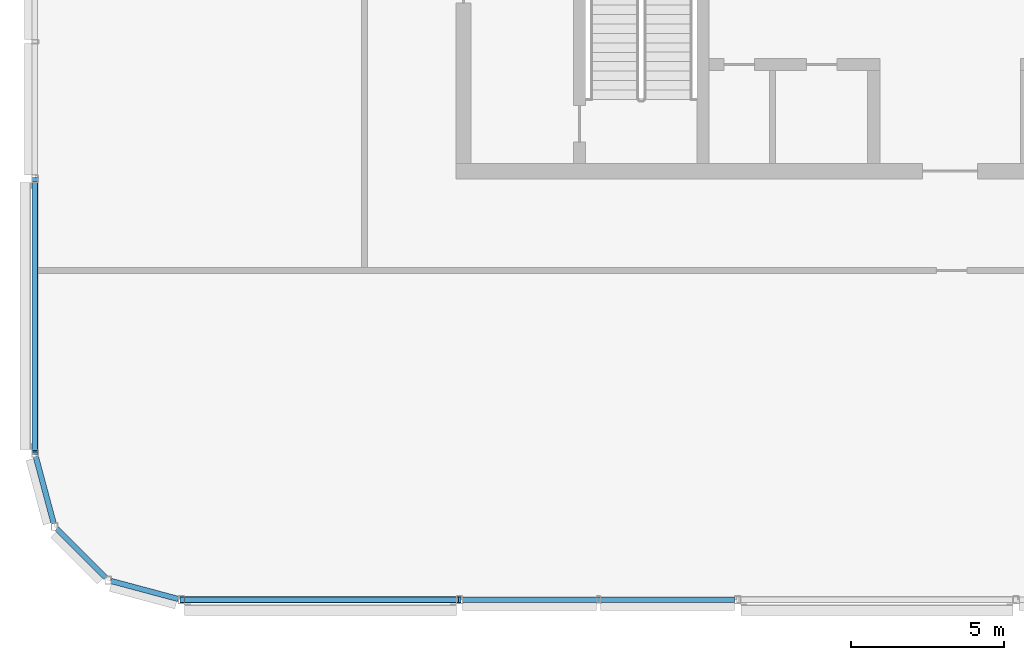
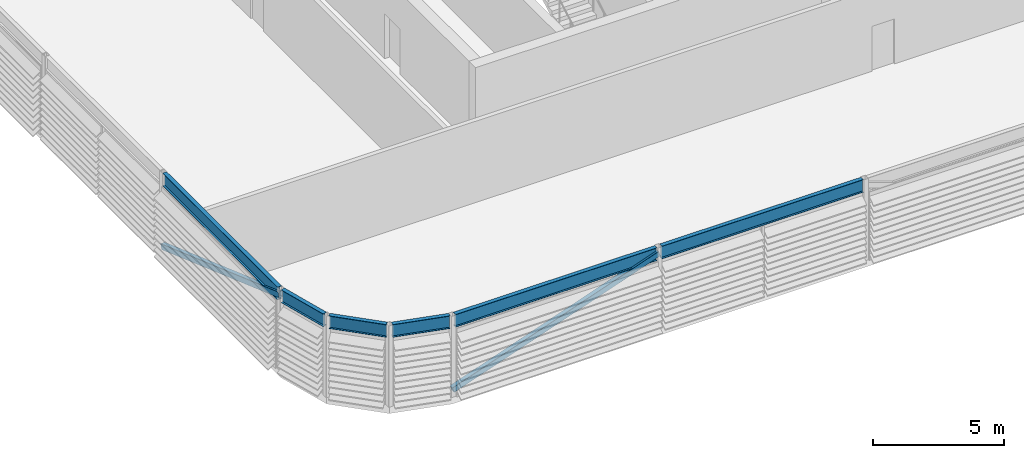
# One storey, part 5 of 28: 6 beams, 2 members.
"""IFC4 building model written with IfcOpenShell, lengths in metres."""

from ifc_helpers import new_model, si_unit, direction, frame, origin, origin_2d, place, context, subcontext, project, spatial, hollow_rectangle, i_section, extrude, material, material_profile, profile_set, type_object, element, save


model = new_model("IFC4")

# Units and contexts
model_context = context("Model", 3, precision=1e-05, world=origin(), true_north=direction((0.0, 1.0)))
body_context = subcontext(model_context, "Body", "Model", "MODEL_VIEW")
ifc_project = project(units=[si_unit("LENGTHUNIT", "METRE"), si_unit("AREAUNIT", "SQUARE_METRE"), si_unit("VOLUMEUNIT", "CUBIC_METRE"), si_unit("PLANEANGLEUNIT", "RADIAN"), si_unit("MASSUNIT", "GRAM", prefix="KILO")], contexts=[model_context])

# Site, building, storey
site_placement = place(None, origin())
site = spatial("IfcSite", under=ifc_project, at=site_placement, CompositionType="ELEMENT")
building_placement = place(site_placement, origin())
building = spatial("IfcBuilding", under=site, at=building_placement, Name="Madar Terraces", CompositionType="ELEMENT")
storey_placement = place(building_placement, frame((0.0, 0.0, 305.89990234375)))
storey = spatial("IfcBuildingStorey", under=building, at=storey_placement, Name="L79", CompositionType="ELEMENT", Elevation=305.89990234375)

# Beams
ifc_material_1 = material(Name="Steel ASTM A992 Grade 50", Category="steel")
ifc_material_profile_1 = material_profile(ifc_material_1, i_section(OverallWidth=0.1787109375, OverallDepth=0.60205078125, WebThickness=0.010986328125, FlangeThickness=0.014892578125, at=origin_2d()), Name="W24x62")
ifc_profile_set_1 = profile_set([ifc_material_profile_1], Name="Steel ASTM A992 Grade 50")
beam_type = type_object("IfcBeamType", Name="CF2 W24x62", PredefinedType="BEAM", material=ifc_profile_set_1)
for number, where, z_axis, x_axis, name in (
    (1, (6.1015625, 1.199951171875, 3.4990234375), (1.0, 0.0, 0.0), (0.0, 1.0, 0.0), "Crown frame ring beam CF2"),
    (2, (15.2216796875, 1.199951171875, 3.4990234375), (1.0, 0.0, 0.0), (0.0, 1.0, 0.0), "Crown frame ring beam CF2"),
):
    element("IfcBeam", number, at=place(storey_placement, frame(where, z_axis=z_axis, x_axis=x_axis)), inside=storey, type_object=beam_type, Name=name, PredefinedType="BEAM", context=body_context, shape_type="SweptSolid", body=[
        extrude(i_section(OverallWidth=0.1787109375, OverallDepth=0.60205078125, WebThickness=0.010986328125, FlangeThickness=0.014892578125, at=origin_2d()), origin(), (0.0, 0.0, 1.0), 8.916748046875),
    ])
beam_1_placement = place(storey_placement, frame((1.199951171875, 14.8984375, 3.4990234375), z_axis=(0.0, -1.0, 0.0), x_axis=(1.0, 0.0, 0.0)))
element("IfcBeam", 3, at=beam_1_placement, inside=storey, type_object=beam_type, Name="Crown frame ring beam CF2", PredefinedType="BEAM", context=body_context, shape_type="SweptSolid", body=[
    extrude(i_section(OverallWidth=0.1787109375, OverallDepth=0.60205078125, WebThickness=0.010986328125, FlangeThickness=0.014892578125, at=origin_2d()), origin(), (0.0, 0.0, 1.0), 8.796875),
])
beam_2_placement = place(storey_placement, frame((1.226318359375, 5.90185546875, 3.4990234375), z_axis=(0.258868028067, -0.965912700012, 0.0), x_axis=(0.965912700012, 0.258868028067, 0.0)))
element("IfcBeam", 4, at=beam_2_placement, inside=storey, type_object=beam_type, Name="Crown frame ring beam CF2", PredefinedType="BEAM", context=body_context, shape_type="SweptSolid", body=[
    extrude(i_section(OverallWidth=0.1787109375, OverallDepth=0.60205078125, WebThickness=0.010986328125, FlangeThickness=0.014892578125, at=origin_2d()), origin(), (0.0, 0.0, 1.0), 2.281494140625),
])
beam_3_placement = place(storey_placement, frame((1.9150390625, 3.528076171875, 3.4990234375), z_axis=(0.707106781187, -0.707106781187, 0.0), x_axis=(0.707106781187, 0.707106781187, 0.0)))
element("IfcBeam", 5, at=beam_3_placement, inside=storey, type_object=beam_type, Name="Crown frame ring beam CF2", PredefinedType="BEAM", context=body_context, shape_type="SweptSolid", body=[
    extrude(i_section(OverallWidth=0.1787109375, OverallDepth=0.60205078125, WebThickness=0.010986328125, FlangeThickness=0.014892578125, at=origin_2d()), origin(), (0.0, 0.0, 1.0), 2.28125),
])
beam_4_placement = place(storey_placement, frame((3.6982421875, 1.81689453125, 3.4990234375), z_axis=(0.965912700012, -0.258868028067, 0.0), x_axis=(0.258868028067, 0.965912700012, 0.0)))
element("IfcBeam", 6, at=beam_4_placement, inside=storey, type_object=beam_type, Name="Crown frame ring beam CF2", PredefinedType="BEAM", context=body_context, shape_type="SweptSolid", body=[
    extrude(i_section(OverallWidth=0.1787109375, OverallDepth=0.60205078125, WebThickness=0.010986328125, FlangeThickness=0.014892578125, at=origin_2d()), origin(), (0.0, 0.0, 1.0), 2.281494140625),
])

# Members
ifc_material_2 = material(Name="Steel ASTM A500 Grade C", Category="steel")
ifc_material_profile_2 = material_profile(ifc_material_2, hollow_rectangle(XDim=0.203125, YDim=0.25390625, WallThickness=0.009521484375, InnerFilletRadius=0.00439453125, OuterFilletRadius=0.01318359375, at=origin_2d()), Name="HSS10x8x.375")
ifc_profile_set_2 = profile_set([ifc_material_profile_2], Name="Steel ASTM A500 Grade C")
member_type = type_object("IfcMemberType", Name="CF5 crown frame brace HSS10x8x.375", PredefinedType="BRACE", material=ifc_profile_set_2)
member_1_placement = place(storey_placement, frame((6.0, 1.199951171875, 0.300048828125), z_axis=(0.943634451591, 0.0, 0.3309894587), x_axis=(0.0, 1.0, 0.0)))
element("IfcMember", 7, at=member_1_placement, inside=storey, type_object=member_type, Name="Crown frame brace CF5", PredefinedType="BRACE", context=body_context, shape_type="SweptSolid", body=[
    extrude(hollow_rectangle(XDim=0.203125, YDim=0.25390625, WallThickness=0.009521484375, InnerFilletRadius=0.00439453125, OuterFilletRadius=0.01318359375, at=origin_2d()), origin(), (0.0, 0.0, 1.0), 9.664794921875),
])
member_2_placement = place(storey_placement, frame((1.199951171875, 15.0, 0.300048828125), z_axis=(0.0, -0.942248571399, 0.334914361736), x_axis=(1.0, 0.0, 0.0)))
element("IfcMember", 8, at=member_2_placement, inside=storey, type_object=member_type, Name="Crown frame brace CF5", PredefinedType="BRACE", context=body_context, shape_type="SweptSolid", body=[
    extrude(hollow_rectangle(XDim=0.203125, YDim=0.25390625, WallThickness=0.009521484375, InnerFilletRadius=0.00439453125, OuterFilletRadius=0.01318359375, at=origin_2d()), origin(), (0.0, 0.0, 1.0), 9.551513671875),
])

save(model, "model.ifc")
